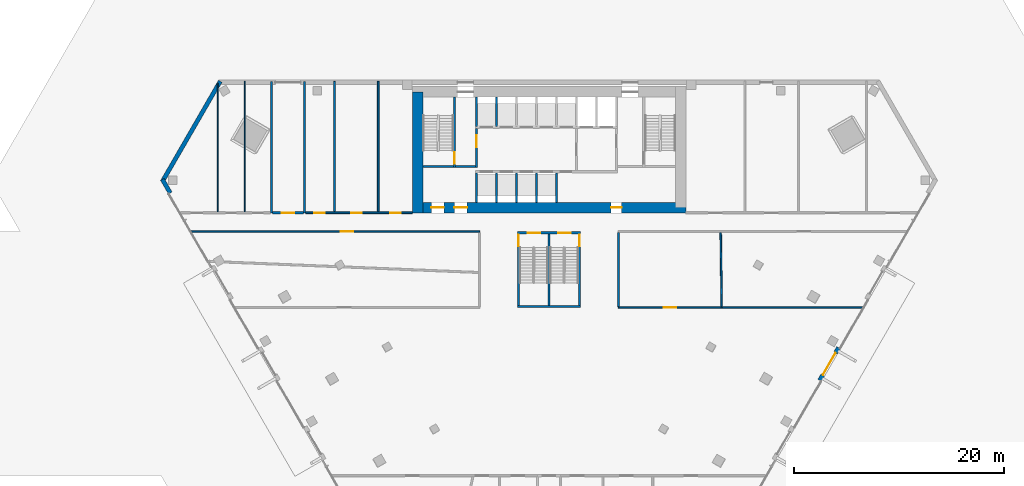
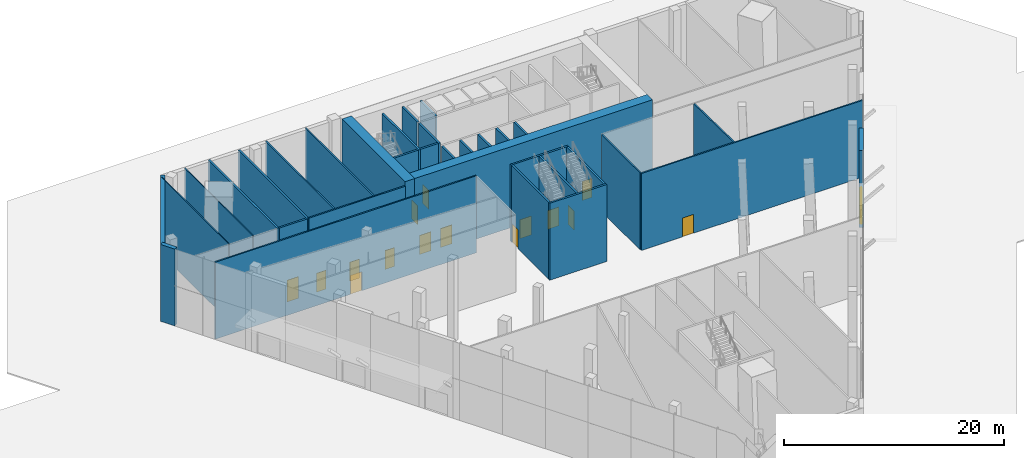
# One storey, part 13 of 21: 33 walls, 16 doors, 16 openings.
"""IFC4 building model written with IfcOpenShell, lengths in metres."""

import ifcopenshell
import ifcopenshell.guid

model = None  # the IFC model being written
_history = None  # IfcOwnerHistory: only IFC2X3 demands one
_inside = {}  # id of a spatial element -> (the spatial element, [elements in it])
_under = {}  # id of a project, library or spatial element -> (it, [spatial elements below it])
_declared = {}  # id of a project -> (the project, [libraries it declares])
_typed = {}  # id of a type object -> (the type object, [elements of that type])
_made_of = {}  # id of a material, layer set ... -> (it, [elements and type objects made of it])


def new_model(schema):
    """Start an empty IFC model of exactly this schema.

    Asked for "IFC4X3", IfcOpenShell would pick the latest addendum, in which some entities
    have other attributes; the version numbers below select the first issue.
    IFC2X3 requires an IfcOwnerHistory on every rooted entity: one is made here for all.
    """
    global model, _history
    if schema == "IFC4X3":
        model = ifcopenshell.file(schema_version=(4, 3, 0, 0))
    else:
        model = ifcopenshell.file(schema=schema)
    _inside.clear()
    _under.clear()
    _declared.clear()
    _typed.clear()
    _made_of.clear()
    _history = None
    if model.schema == "IFC2X3":
        org = make("IfcOrganization", Name="unknown")
        user = make(
            "IfcPersonAndOrganization",
            ThePerson=make("IfcPerson", FamilyName="unknown"),
            TheOrganization=org,
        )
        app = make(
            "IfcApplication",
            ApplicationDeveloper=org,
            Version="unknown",
            ApplicationFullName="unknown",
            ApplicationIdentifier="unknown",
        )
        _history = make(
            "IfcOwnerHistory",
            OwningUser=user,
            OwningApplication=app,
            ChangeAction="ADDED",
            CreationDate=0,
        )
    return model


def make(cls, **values):
    """One entity of the class cls with the attributes given. An attribute that is None is left unset."""
    return model.create_entity(
        cls, **{name: value for name, value in values.items() if value is not None}
    )


def rooted(cls, **values):
    """An entity with a GlobalId (a new one), such as an element, a storey or a relation."""
    return make(cls, GlobalId=ifcopenshell.guid.new(), OwnerHistory=_history, **values)


def si_unit(unit_type, name, prefix=None):
    """IfcSIUnit, for example si_unit("LENGTHUNIT", "METRE", prefix="MILLI")."""
    return make("IfcSIUnit", UnitType=unit_type, Prefix=prefix, Name=name)


def assignment(units):
    """IfcUnitAssignment: the units of a project."""
    return None if units is None else make("IfcUnitAssignment", Units=units)


def point(xyz):
    """IfcCartesianPoint."""
    return None if xyz is None else make("IfcCartesianPoint", Coordinates=xyz)


def direction(xyz):
    """IfcDirection."""
    return None if xyz is None else make("IfcDirection", DirectionRatios=xyz)


def frame(location, z_axis=None, x_axis=None):
    """IfcAxis2Placement3D, a coordinate frame: its origin and axes. An axis left out is left unset."""
    return make(
        "IfcAxis2Placement3D",
        Location=point(location),
        Axis=direction(z_axis),
        RefDirection=direction(x_axis),
    )


def frame_2d(location, x_axis=None):
    """IfcAxis2Placement2D, a coordinate frame in the plane: its origin and x axis."""
    return make(
        "IfcAxis2Placement2D", Location=point(location), RefDirection=direction(x_axis)
    )


def origin():
    """The frame at (0, 0, 0) with its axes left unset."""
    return frame((0.0, 0.0, 0.0))


def place(relative_to, where):
    """IfcLocalPlacement: puts the frame where relative to a parent placement (None: the world)."""
    return make(
        "IfcLocalPlacement", PlacementRelTo=relative_to, RelativePlacement=where
    )


def context(
    kind, dimensions, precision=None, world=None, true_north=None, identifier=None
):
    """IfcGeometricRepresentationContext, for example the 3D "Model" context."""
    return make(
        "IfcGeometricRepresentationContext",
        ContextIdentifier=identifier,
        ContextType=kind,
        CoordinateSpaceDimension=dimensions,
        Precision=precision,
        WorldCoordinateSystem=world,
        TrueNorth=true_north,
    )


def subcontext(parent, identifier, kind, view, scale=None):
    """IfcGeometricRepresentationSubContext, for example "Body" below "Model"."""
    return make(
        "IfcGeometricRepresentationSubContext",
        ContextIdentifier=identifier,
        ContextType=kind,
        ParentContext=parent,
        TargetScale=scale,
        TargetView=view,
    )


def project(units=None, contexts=None):
    """IfcProject with its units and contexts."""
    return rooted(
        "IfcProject",
        Name="project",
        RepresentationContexts=contexts,
        UnitsInContext=assignment(units),
    )


def spatial(cls, under=None, at=None, **own):
    """A site, building, storey or space (cls), placed at a placement, below another one or the project."""
    s = rooted(cls, ObjectPlacement=at, **own)
    if under is not None:
        _under.setdefault(under.id(), (under, []))[1].append(s)
    return s


def profile(cls, at=None, kind="AREA", **sizes):
    """A parametric profile (cls). Its sizes go by their IFC names, for example OverallWidth=200.0."""
    return make(cls, ProfileType=kind, Position=at, **sizes)


def rectangle(**sizes):
    """IfcRectangleProfileDef."""
    return profile("IfcRectangleProfileDef", **sizes)


def extrude(swept, where, along, depth):
    """IfcExtrudedAreaSolid: the profile swept, set in the frame where, extruded along a direction by depth."""
    return make(
        "IfcExtrudedAreaSolid",
        SweptArea=swept,
        Position=where,
        ExtrudedDirection=direction(along),
        Depth=depth,
    )


def shape(context_of_items, identifier, shape_type, items):
    """IfcShapeRepresentation: the items that make up one representation, for example the "Body"."""
    return make(
        "IfcShapeRepresentation",
        ContextOfItems=context_of_items,
        RepresentationIdentifier=identifier,
        RepresentationType=shape_type,
        Items=items,
    )


def material(Name=None, Category=None):
    """IfcMaterial."""
    return make("IfcMaterial", Name=Name, Category=Category)


def layer(
    of_material, thickness, ventilated=None, Name=None, Category=None, Priority=None
):
    """IfcMaterialLayer: one layer of a wall or slab, of a material (None: an air gap)."""
    return make(
        "IfcMaterialLayer",
        Material=of_material,
        LayerThickness=thickness,
        IsVentilated=ventilated,
        Name=Name,
        Category=Category,
        Priority=Priority,
    )


def layer_set(layers, Name=None):
    """IfcMaterialLayerSet."""
    return make("IfcMaterialLayerSet", MaterialLayers=layers, LayerSetName=Name)


def made_of(thing, what):
    """Note that an element or type object is made of a material, layer set ...; save() writes the relation."""
    if what is not None:
        _made_of.setdefault(what.id(), (what, []))[1].append(thing)
    return thing


def type_object(cls, material=None, **own):
    """A type object (cls), such as IfcWallType, which elements share."""
    return made_of(rooted(cls, **own), material)


def element(
    cls,
    number,
    at=None,
    inside=None,
    cuts=None,
    type_object=None,
    material=None,
    context=None,
    identifier="Body",
    shape_type=None,
    held_by="IfcProductDefinitionShape",
    body=None,
    shapes=None,
    **own,
):
    """One element of the class cls, such as IfcWall. Its Tag is "e" and its number.

    at: its placement. inside: the storey or other place that contains it. cuts: it is an
    opening in that element (IfcRelVoidsElement). A single representation is given by context,
    identifier, shape_type and body (its items); several are given by shapes. held_by: the class
    of the entity that holds the representations. save() writes the other relations.
    """
    e = rooted(cls, Tag="e%d" % number, ObjectPlacement=at, **own)
    if body is not None:
        shapes = [shape(context, identifier, shape_type, body)]
    if shapes is not None:
        e.Representation = make(held_by, Representations=shapes)
    if inside is not None:
        _inside.setdefault(inside.id(), (inside, []))[1].append(e)
    if cuts is not None:
        rooted(
            "IfcRelVoidsElement", RelatingBuildingElement=cuts, RelatedOpeningElement=e
        )
    if type_object is not None:
        _typed.setdefault(type_object.id(), (type_object, []))[1].append(e)
    return made_of(e, material)


def fill(opening, filler):
    """IfcRelFillsElement: the door or window that sits in an opening."""
    return rooted(
        "IfcRelFillsElement",
        RelatingOpeningElement=opening,
        RelatedBuildingElement=filler,
    )


def aggregate(whole, parts):
    """IfcRelAggregates: a whole, such as a stair, and the parts it consists of."""
    return rooted("IfcRelAggregates", RelatingObject=whole, RelatedObjects=parts)


def save(model, path):
    """Write the relations noted so far, then the file.

    IfcRelAggregates (storeys below a building ...), IfcRelContainedInSpatialStructure (elements
    in a storey), IfcRelDefinesByType, IfcRelAssociatesMaterial and IfcRelDeclares: one each for
    every whole, place, type object, material and project.
    """
    for whole, parts in _under.values():
        aggregate(whole, parts)
    for where, things in _inside.values():
        rooted(
            "IfcRelContainedInSpatialStructure",
            RelatedElements=things,
            RelatingStructure=where,
        )
    for kind, things in _typed.values():
        rooted("IfcRelDefinesByType", RelatedObjects=things, RelatingType=kind)
    for what, things in _made_of.values():
        rooted("IfcRelAssociatesMaterial", RelatedObjects=things, RelatingMaterial=what)
    for by, libraries in _declared.values():
        rooted("IfcRelDeclares", RelatingContext=by, RelatedDefinitions=libraries)
    model.write(path)


model = new_model("IFC4")

# Units and contexts
model_context = context("Model", 3, precision=1e-05, world=origin(), true_north=direction((0.0, 1.0)))
body_context = subcontext(model_context, "Body", "Model", "MODEL_VIEW")
ifc_project = project(units=[si_unit("LENGTHUNIT", "METRE"), si_unit("AREAUNIT", "SQUARE_METRE"), si_unit("VOLUMEUNIT", "CUBIC_METRE"), si_unit("PLANEANGLEUNIT", "RADIAN"), si_unit("MASSUNIT", "GRAM", prefix="KILO")], contexts=[model_context])

# Site, building, storey
site_placement = place(None, origin())
site = spatial("IfcSite", under=ifc_project, at=site_placement, CompositionType="ELEMENT")
building_placement = place(site_placement, origin())
building = spatial("IfcBuilding", under=site, at=building_placement, Name="Altiplano Prism Tower", CompositionType="ELEMENT")
storey_placement = place(building_placement, origin())
storey = spatial("IfcBuildingStorey", under=building, at=storey_placement, Name="L00", CompositionType="ELEMENT", Elevation=0.0)

# Wall, openings, doors
ifc_material_1 = material(Name="Concrete C70/85", Category="concrete")
ifc_layer_1 = layer(ifc_material_1, 1.0)
ifc_layer_set_1 = layer_set([ifc_layer_1], Name="Concrete C70/85")
wall_type_1 = type_object("IfcWallType", Name="Core wall 1000", PredefinedType="SHEAR", material=ifc_layer_set_1)
wall_1_placement = place(storey_placement, frame((72.5, 92.89990234375, 0.0), z_axis=(0.0, 0.0, 1.0), x_axis=(1.0, 0.0, 0.0)))
wall_1 = element("IfcWall", 1, at=wall_1_placement, inside=storey, type_object=wall_type_1, Name="Core wall S L00", PredefinedType="SHEAR", context=body_context, shape_type="SweptSolid", body=[
    extrude(rectangle(XDim=25.5, YDim=1.0, at=frame_2d((12.75, 0.0))), origin(), (0.0, 0.0, 1.0), 9.0),
])
opening_1_placement = place(wall_1_placement, frame((1.300048828125, 0.0, 0.0)))
opening_1 = element("IfcOpeningElement", 2, at=opening_1_placement, cuts=wall_1, Name="Opening D2594", PredefinedType="OPENING", context=body_context, shape_type="SweptSolid", body=[
    extrude(rectangle(XDim=1.199951171875, YDim=2.10009765625, at=frame_2d((0.60009765625, 1.050048828125))), frame((0.0, 0.510498046875, 0.0), z_axis=(0.0, -1.0, 0.0), x_axis=(1.0, 0.0, 0.0)), (0.0, 0.0, 1.0), 1.02099609375),
])
opening_2_placement = place(wall_1_placement, frame((3.5, 0.0, 0.0)))
opening_2 = element("IfcOpeningElement", 3, at=opening_2_placement, cuts=wall_1, Name="Opening D2595", PredefinedType="OPENING", context=body_context, shape_type="SweptSolid", body=[
    extrude(rectangle(XDim=1.199951171875, YDim=2.10009765625, at=frame_2d((0.60009765625, 1.050048828125))), frame((0.0, 0.510498046875, 0.0), z_axis=(0.0, -1.0, 0.0), x_axis=(1.0, 0.0, 0.0)), (0.0, 0.0, 1.0), 1.02099609375),
])
opening_3_placement = place(wall_1_placement, frame((18.39990234375, 0.0, 0.0)))
opening_3 = element("IfcOpeningElement", 4, at=opening_3_placement, cuts=wall_1, Name="Opening D2597", PredefinedType="OPENING", context=body_context, shape_type="SweptSolid", body=[
    extrude(rectangle(XDim=1.0, YDim=2.10009765625, at=frame_2d((0.5, 1.050048828125))), frame((0.0, 0.510498046875, 0.0), z_axis=(0.0, -1.0, 0.0), x_axis=(1.0, 0.0, 0.0)), (0.0, 0.0, 1.0), 1.02099609375),
])
ifc_material_2 = material(Name="Fire-rated steel door", Category="steel")
door_type_1 = type_object("IfcDoorType", Name="Core room door 1000 x 2100", OperationType="NOTDEFINED", PredefinedType="NOTDEFINED", material=ifc_material_2)
door_1_placement = place(opening_3_placement, origin())
door_1 = element("IfcDoor", 5, at=door_1_placement, inside=storey, type_object=door_type_1, Name="Core room door D2597", OperationType="SINGLE_SWING_RIGHT", OverallHeight=2.10009765625, OverallWidth=1.0, PredefinedType="NOTDEFINED", context=body_context, shape_type="SweptSolid", body=[
    extrude(rectangle(XDim=1.0, YDim=2.10009765625, at=frame_2d((0.5, 1.050048828125))), frame((0.0, 0.02490234375, 0.0), z_axis=(0.0, -1.0, 0.0), x_axis=(1.0, 0.0, 0.0)), (0.0, 0.0, 1.0), 0.050048828125),
])
fill(opening_3, door_1)
door_type_2 = type_object("IfcDoorType", Name="Lobby fire door 1200 x 2100", OperationType="NOTDEFINED", PredefinedType="NOTDEFINED", material=ifc_material_2)
door_2_placement = place(opening_1_placement, origin())
door_2 = element("IfcDoor", 6, at=door_2_placement, inside=storey, type_object=door_type_2, Name="Lobby fire door D2594", OperationType="SINGLE_SWING_RIGHT", OverallHeight=2.10009765625, OverallWidth=1.199951171875, PredefinedType="NOTDEFINED", context=body_context, shape_type="SweptSolid", body=[
    extrude(rectangle(XDim=1.199951171875, YDim=2.10009765625, at=frame_2d((0.60009765625, 1.050048828125))), frame((0.0, 0.02490234375, 0.0), z_axis=(0.0, -1.0, 0.0), x_axis=(1.0, 0.0, 0.0)), (0.0, 0.0, 1.0), 0.050048828125),
])
fill(opening_1, door_2)
door_3_placement = place(opening_2_placement, origin())
door_3 = element("IfcDoor", 7, at=door_3_placement, inside=storey, type_object=door_type_2, Name="Lobby fire door D2595", OperationType="SINGLE_SWING_LEFT", OverallHeight=2.10009765625, OverallWidth=1.199951171875, PredefinedType="NOTDEFINED", context=body_context, shape_type="SweptSolid", body=[
    extrude(rectangle(XDim=1.199951171875, YDim=2.10009765625, at=frame_2d((0.60009765625, 1.050048828125))), frame((0.0, 0.02490234375, 0.0), z_axis=(0.0, -1.0, 0.0), x_axis=(1.0, 0.0, 0.0)), (0.0, 0.0, 1.0), 0.050048828125),
])
fill(opening_2, door_3)

# Walls
wall_2_placement = place(storey_placement, frame((72.5, 103.89990234375, 0.0), z_axis=(0.0, 0.0, 1.0), x_axis=(0.0, -1.0, 0.0)))
element("IfcWall", 8, at=wall_2_placement, inside=storey, type_object=wall_type_1, Name="Core wall W L00", PredefinedType="SHEAR", context=body_context, shape_type="SweptSolid", body=[
    extrude(rectangle(XDim=11.5, YDim=1.0, at=frame_2d((5.75, 0.0))), origin(), (0.0, 0.0, 1.0), 9.0),
])
ifc_material_3 = material(Name="Plasterboard on steel stud", Category="steel")
ifc_layer_2 = layer(ifc_material_3, 0.10009765625)
ifc_layer_set_2 = layer_set([ifc_layer_2], Name="Plasterboard on steel stud")
wall_type_2 = type_object("IfcWallType", Name="Partition 100 wet", PredefinedType="PARTITIONING", material=ifc_layer_set_2)
wall_3_placement = place(storey_placement, frame((56.061767578125, 92.47509765625, 0.0), z_axis=(0.0, 0.0, 1.0), x_axis=(0.0, 1.0, 0.0)))
element("IfcWall", 9, at=wall_3_placement, inside=storey, type_object=wall_type_2, Name="Partition P03 L00 015", PredefinedType="PARTITIONING", context=body_context, shape_type="SweptSolid", body=[
    extrude(rectangle(XDim=12.4248046875, YDim=0.10009765625, at=frame_2d((6.21240234375, 0.0))), origin(), (0.0, 0.0, 1.0), 8.550048828125),
])
wall_4_placement = place(storey_placement, frame((53.507568359375, 104.70068359375, 0.0), z_axis=(0.0, 0.0, 1.0), x_axis=(0.0, -1.0, 0.0)))
element("IfcWall", 10, at=wall_4_placement, inside=storey, type_object=wall_type_2, Name="Partition P03 L00 016", PredefinedType="PARTITIONING", context=body_context, shape_type="SweptSolid", body=[
    extrude(rectangle(XDim=12.2255859375, YDim=0.10009765625, at=frame_2d((6.11279296875, 0.0))), origin(), (0.0, 0.0, 1.0), 8.550048828125),
])

# Wall, opening, door
ifc_layer_3 = layer(ifc_material_3, 0.14990234375)
ifc_layer_set_3 = layer_set([ifc_layer_3], Name="Plasterboard on steel stud")
wall_type_3 = type_object("IfcWallType", Name="Partition 150 corridor", PredefinedType="PARTITIONING", material=ifc_layer_set_3)
wall_5_placement = place(storey_placement, frame((114.887451171875, 83.39990234375, 0.0), z_axis=(0.0, 0.0, 1.0), x_axis=(-1.0, 0.0, 0.0)))
wall_5 = element("IfcWall", 11, at=wall_5_placement, inside=storey, type_object=wall_type_3, Name="Partition P06 L00 002", PredefinedType="PARTITIONING", context=body_context, shape_type="SweptSolid", body=[
    extrude(rectangle(XDim=23.287353515625, YDim=0.14990234375, at=frame_2d((11.6435546875, 0.0))), origin(), (0.0, 0.0, 1.0), 8.550048828125),
])
opening_4_placement = place(wall_5_placement, frame((17.804443359375, 0.0, 0.0)))
opening_4 = element("IfcOpeningElement", 12, at=opening_4_placement, cuts=wall_5, Name="Opening D0019", PredefinedType="OPENING", context=body_context, shape_type="SweptSolid", body=[
    extrude(rectangle(XDim=1.199951171875, YDim=2.10009765625, at=frame_2d((0.60009765625, 1.050048828125))), frame((0.0, 0.08544921875, 0.0), z_axis=(0.0, -1.0, 0.0), x_axis=(1.0, 0.0, 0.0)), (0.0, 0.0, 1.0), 0.1708984375),
])
ifc_material_4 = material(Name="Timber", Category="wood")
door_type_3 = type_object("IfcDoorType", Name="Shared room door 1200 x 2100", OperationType="NOTDEFINED", PredefinedType="NOTDEFINED", material=ifc_material_4)
door_4_placement = place(opening_4_placement, origin())
door_4 = element("IfcDoor", 13, at=door_4_placement, inside=storey, type_object=door_type_3, Name="Door D0019", OperationType="SINGLE_SWING_LEFT", OverallHeight=2.10009765625, OverallWidth=1.199951171875, PredefinedType="NOTDEFINED", context=body_context, shape_type="SweptSolid", body=[
    extrude(rectangle(XDim=1.199951171875, YDim=2.10009765625, at=frame_2d((0.60009765625, 1.050048828125))), frame((0.0, 0.02490234375, 0.0), z_axis=(0.0, -1.0, 0.0), x_axis=(1.0, 0.0, 0.0)), (0.0, 0.0, 1.0), 0.050048828125),
])
fill(opening_4, door_4)

# Wall
wall_6_placement = place(storey_placement, frame((91.60009765625, 83.47509765625, 0.0), z_axis=(0.0, 0.0, 1.0), x_axis=(0.0, 1.0, 0.0)))
element("IfcWall", 14, at=wall_6_placement, inside=storey, type_object=wall_type_3, Name="Partition P06 L00 006", PredefinedType="PARTITIONING", context=body_context, shape_type="SweptSolid", body=[
    extrude(rectangle(XDim=7.0498046875, YDim=0.14990234375, at=frame_2d((3.52490234375, 0.0))), origin(), (0.0, 0.0, 1.0), 8.550048828125),
])

# Wall, openings, doors
wall_7_placement = place(storey_placement, frame((72.0, 92.39990234375, 0.0), z_axis=(0.0, 0.0, 1.0), x_axis=(-1.0, 0.0, 0.0)))
wall_7 = element("IfcWall", 15, at=wall_7_placement, inside=storey, type_object=wall_type_3, Name="Partition P06 L00 009", PredefinedType="PARTITIONING", context=body_context, shape_type="SweptSolid", body=[
    extrude(rectangle(XDim=10.140625, YDim=0.14990234375, at=frame_2d((5.0703125, 0.0))), origin(), (0.0, 0.0, 1.0), 8.550048828125),
])
opening_5_placement = place(wall_7_placement, frame((8.321044921875, 0.0, 0.0)))
opening_5 = element("IfcOpeningElement", 16, at=opening_5_placement, cuts=wall_7, Name="Opening D0003", PredefinedType="OPENING", context=body_context, shape_type="SweptSolid", body=[
    extrude(rectangle(XDim=1.0, YDim=2.10009765625, at=frame_2d((0.5, 1.050048828125))), frame((0.0, 0.08544921875, 0.0), z_axis=(0.0, -1.0, 0.0), x_axis=(1.0, 0.0, 0.0)), (0.0, 0.0, 1.0), 0.1708984375),
])
opening_6_placement = place(wall_7_placement, frame((1.118896484375, 0.0, 0.0)))
opening_6 = element("IfcOpeningElement", 17, at=opening_6_placement, cuts=wall_7, Name="Opening D0006", PredefinedType="OPENING", context=body_context, shape_type="SweptSolid", body=[
    extrude(rectangle(XDim=1.0, YDim=2.10009765625, at=frame_2d((0.5, 1.050048828125))), frame((0.0, 0.08544921875, 0.0), z_axis=(0.0, -1.0, 0.0), x_axis=(1.0, 0.0, 0.0)), (0.0, 0.0, 1.0), 0.1708984375),
])
opening_7_placement = place(wall_7_placement, frame((4.820068359375, 0.0, 0.0)))
opening_7 = element("IfcOpeningElement", 18, at=opening_7_placement, cuts=wall_7, Name="Opening D0007", PredefinedType="OPENING", context=body_context, shape_type="SweptSolid", body=[
    extrude(rectangle(XDim=1.0, YDim=2.10009765625, at=frame_2d((0.5, 1.050048828125))), frame((0.0, 0.08544921875, 0.0), z_axis=(0.0, -1.0, 0.0), x_axis=(1.0, 0.0, 0.0)), (0.0, 0.0, 1.0), 0.1708984375),
])
door_type_4 = type_object("IfcDoorType", Name="Store door 1000 x 2100", OperationType="NOTDEFINED", PredefinedType="NOTDEFINED", material=ifc_material_4)
door_5_placement = place(opening_5_placement, origin())
door_5 = element("IfcDoor", 19, at=door_5_placement, inside=storey, type_object=door_type_4, Name="Door D0003", OperationType="SINGLE_SWING_RIGHT", OverallHeight=2.10009765625, OverallWidth=1.0, PredefinedType="NOTDEFINED", context=body_context, shape_type="SweptSolid", body=[
    extrude(rectangle(XDim=1.0, YDim=2.10009765625, at=frame_2d((0.5, 1.050048828125))), frame((0.0, 0.02490234375, 0.0), z_axis=(0.0, -1.0, 0.0), x_axis=(1.0, 0.0, 0.0)), (0.0, 0.0, 1.0), 0.050048828125),
])
fill(opening_5, door_5)
door_6_placement = place(opening_6_placement, origin())
door_6 = element("IfcDoor", 20, at=door_6_placement, inside=storey, type_object=door_type_4, Name="Door D0006", OperationType="SINGLE_SWING_LEFT", OverallHeight=2.10009765625, OverallWidth=1.0, PredefinedType="NOTDEFINED", context=body_context, shape_type="SweptSolid", body=[
    extrude(rectangle(XDim=1.0, YDim=2.10009765625, at=frame_2d((0.5, 1.050048828125))), frame((0.0, 0.02490234375, 0.0), z_axis=(0.0, -1.0, 0.0), x_axis=(1.0, 0.0, 0.0)), (0.0, 0.0, 1.0), 0.050048828125),
])
fill(opening_6, door_6)
door_7_placement = place(opening_7_placement, origin())
door_7 = element("IfcDoor", 21, at=door_7_placement, inside=storey, type_object=door_type_4, Name="Door D0007", OperationType="SINGLE_SWING_LEFT", OverallHeight=2.10009765625, OverallWidth=1.0, PredefinedType="NOTDEFINED", context=body_context, shape_type="SweptSolid", body=[
    extrude(rectangle(XDim=1.0, YDim=2.10009765625, at=frame_2d((0.5, 1.050048828125))), frame((0.0, 0.02490234375, 0.0), z_axis=(0.0, -1.0, 0.0), x_axis=(1.0, 0.0, 0.0)), (0.0, 0.0, 1.0), 0.050048828125),
])
fill(opening_7, door_7)

# Wall, opening, door
wall_8_placement = place(storey_placement, frame((50.95556640625, 90.60009765625, 0.0), z_axis=(0.0, 0.0, 1.0), x_axis=(1.0, 0.0, 0.0)))
wall_8 = element("IfcWall", 22, at=wall_8_placement, inside=storey, type_object=wall_type_3, Name="Partition P06 L00 011", PredefinedType="PARTITIONING", context=body_context, shape_type="SweptSolid", body=[
    extrude(rectangle(XDim=27.4443359375, YDim=0.14990234375, at=frame_2d((13.72216796875, 0.0))), origin(), (0.0, 0.0, 1.0), 8.550048828125),
])
opening_8_placement = place(wall_8_placement, frame((14.219482421875, 0.0, 0.0)))
opening_8 = element("IfcOpeningElement", 23, at=opening_8_placement, cuts=wall_8, Name="Opening D0015", PredefinedType="OPENING", context=body_context, shape_type="SweptSolid", body=[
    extrude(rectangle(XDim=1.199951171875, YDim=2.10009765625, at=frame_2d((0.60009765625, 1.050048828125))), frame((0.0, 0.08544921875, 0.0), z_axis=(0.0, -1.0, 0.0), x_axis=(1.0, 0.0, 0.0)), (0.0, 0.0, 1.0), 0.1708984375),
])
door_8_placement = place(opening_8_placement, origin())
door_8 = element("IfcDoor", 24, at=door_8_placement, inside=storey, type_object=door_type_3, Name="Door D0015", OperationType="SINGLE_SWING_RIGHT", OverallHeight=2.10009765625, OverallWidth=1.199951171875, PredefinedType="NOTDEFINED", context=body_context, shape_type="SweptSolid", body=[
    extrude(rectangle(XDim=1.199951171875, YDim=2.10009765625, at=frame_2d((0.60009765625, 1.050048828125))), frame((0.0, 0.02490234375, 0.0), z_axis=(0.0, -1.0, 0.0), x_axis=(1.0, 0.0, 0.0)), (0.0, 0.0, 1.0), 0.050048828125),
])
fill(opening_8, door_8)

# Walls
ifc_layer_4 = layer(ifc_material_3, 0.14990234375)
ifc_layer_set_4 = layer_set([ifc_layer_4], Name="Plasterboard on steel stud")
wall_type_4 = type_object("IfcWallType", Name="Partition 150 party", PredefinedType="PARTITIONING", material=ifc_layer_set_4)
for number, where, z_axis, x_axis, name in (
    (25, (64.59765625, 92.47509765625, 0.0), (0.0, 0.0, 1.0), (0.0, 1.0, 0.0), "Partition P01 L00 019"),
    (26, (68.761962890625, 104.89990234375, 0.0), (0.0, 0.0, 1.0), (0.0, -1.0, 0.0), "Partition P01 L00 020"),
):
    element("IfcWall", number, at=place(storey_placement, frame(where, z_axis=z_axis, x_axis=x_axis)), inside=storey, type_object=wall_type_4, Name=name, PredefinedType="PARTITIONING", context=body_context, shape_type="SweptSolid", body=[
        extrude(rectangle(XDim=12.4248046875, YDim=0.14990234375, at=frame_2d((6.21240234375, 0.0))), origin(), (0.0, 0.0, 1.0), 8.550048828125),
    ])
wall_9_placement = place(storey_placement, frame((101.31591796875, 90.52392578125, 0.0), z_axis=(0.0, 0.0, 1.0), x_axis=(0.014027994636, -0.999901602842, 0.0)))
element("IfcWall", 27, at=wall_9_placement, inside=storey, type_object=wall_type_4, Name="Partition P01 L00 024", PredefinedType="PARTITIONING", context=body_context, shape_type="SweptSolid", body=[
    extrude(rectangle(XDim=7.048583984375, YDim=0.14990234375, at=frame_2d((3.5244140625, 0.0))), origin(), (0.0, 0.0, 1.0), 8.550048828125),
])

# Wall, opening, door
ifc_layer_5 = layer(ifc_material_3, 0.199951171875)
ifc_layer_set_5 = layer_set([ifc_layer_5], Name="Plasterboard on steel stud")
wall_type_5 = type_object("IfcWallType", Name="Partition 200 plant", PredefinedType="PARTITIONING", material=ifc_layer_set_5)
wall_10_placement = place(storey_placement, frame((61.659423828125, 92.39990234375, 0.0), z_axis=(0.0, 0.0, 1.0), x_axis=(-1.0, 0.0, 0.0)))
wall_10 = element("IfcWall", 28, at=wall_10_placement, inside=storey, type_object=wall_type_5, Name="Partition P04 L00 007", PredefinedType="PARTITIONING", context=body_context, shape_type="SweptSolid", body=[
    extrude(rectangle(XDim=2.943603515625, YDim=0.199951171875, at=frame_2d((1.4716796875, 0.0))), origin(), (0.0, 0.0, 1.0), 8.550048828125),
])
opening_9_placement = place(wall_10_placement, frame((0.8720703125, 0.0, 0.0)))
opening_9 = element("IfcOpeningElement", 29, at=opening_9_placement, cuts=wall_10, Name="Opening D0004", PredefinedType="OPENING", context=body_context, shape_type="SweptSolid", body=[
    extrude(rectangle(XDim=1.199951171875, YDim=2.39990234375, at=frame_2d((0.60009765625, 1.199951171875))), frame((0.0, 0.1103515625, 0.0), z_axis=(0.0, -1.0, 0.0), x_axis=(1.0, 0.0, 0.0)), (0.0, 0.0, 1.0), 0.220947265625),
])
ifc_material_5 = material(Name="Painted steel door leaf", Category="steel")
door_type_5 = type_object("IfcDoorType", Name="Plant room door 1200 x 2400", OperationType="NOTDEFINED", PredefinedType="NOTDEFINED", material=ifc_material_5)
door_9_placement = place(opening_9_placement, origin())
door_9 = element("IfcDoor", 30, at=door_9_placement, inside=storey, type_object=door_type_5, Name="Door D0004", OperationType="SINGLE_SWING_LEFT", OverallHeight=2.39990234375, OverallWidth=1.199951171875, PredefinedType="NOTDEFINED", context=body_context, shape_type="SweptSolid", body=[
    extrude(rectangle(XDim=1.199951171875, YDim=2.39990234375, at=frame_2d((0.60009765625, 1.199951171875))), frame((0.0, 0.02490234375, 0.0), z_axis=(0.0, -1.0, 0.0), x_axis=(1.0, 0.0, 0.0)), (0.0, 0.0, 1.0), 0.050048828125),
])
fill(opening_9, door_9)

# Walls
for number, where, z_axis, x_axis, name in (
    (31, (58.61572265625, 92.39990234375, 0.0), (0.0, 0.0, 1.0), (0.0, 1.0, 0.0), "Partition P04 L00 017"),
    (32, (61.75927734375, 104.89990234375, 0.0), (0.0, 0.0, 1.0), (0.0, -1.0, 0.0), "Partition P04 L00 018"),
):
    element("IfcWall", number, at=place(storey_placement, frame(where, z_axis=z_axis, x_axis=x_axis)), inside=storey, type_object=wall_type_5, Name=name, PredefinedType="PARTITIONING", context=body_context, shape_type="SweptSolid", body=[
        extrude(rectangle(XDim=12.5, YDim=0.199951171875, at=frame_2d((6.25, 0.0))), origin(), (0.0, 0.0, 1.0), 8.550048828125),
    ])
ifc_material_6 = material(Name="Concrete C60/75", Category="concrete")
ifc_layer_6 = layer(ifc_material_6, 0.199951171875)
ifc_layer_set_6 = layer_set([ifc_layer_6], Name="Concrete C60/75")
wall_type_6 = type_object("IfcWallType", Name="Shaft wall 200", PredefinedType="SOLIDWALL", material=ifc_layer_set_6)
for number, where, z_axis, x_axis, name in (
    (33, (78.10009765625, 93.39990234375, 0.0), (0.0, 0.0, 1.0), (0.0, 1.0, 0.0), "Shaft wall L00"),
    (34, (80.0, 93.39990234375, 0.0), (0.0, 0.0, 1.0), (0.0, 1.0, 0.0), "Shaft wall L00"),
    (35, (81.89990234375, 93.39990234375, 0.0), (0.0, 0.0, 1.0), (0.0, 1.0, 0.0), "Shaft wall L00"),
    (36, (83.800048828125, 93.39990234375, 0.0), (0.0, 0.0, 1.0), (0.0, 1.0, 0.0), "Shaft wall L00"),
    (37, (85.699951171875, 93.39990234375, 0.0), (0.0, 0.0, 1.0), (0.0, 1.0, 0.0), "Shaft wall L00"),
):
    element("IfcWall", number, at=place(storey_placement, frame(where, z_axis=z_axis, x_axis=x_axis)), inside=storey, type_object=wall_type_6, Name=name, PredefinedType="SOLIDWALL", context=body_context, shape_type="SweptSolid", body=[
        extrude(rectangle(XDim=2.800048828125, YDim=0.199951171875, at=frame_2d((1.39990234375, 0.0))), origin(), (0.0, 0.0, 1.0), 8.550048828125),
    ])
for number, where, z_axis, x_axis, name in (
    (38, (78.10009765625, 100.60009765625, 0.0), (0.0, 0.0, 1.0), (0.0, 1.0, 0.0), "Shaft wall L00"),
    (39, (80.0, 100.60009765625, 0.0), (0.0, 0.0, 1.0), (0.0, 1.0, 0.0), "Shaft wall L00"),
):
    element("IfcWall", number, at=place(storey_placement, frame(where, z_axis=z_axis, x_axis=x_axis)), inside=storey, type_object=wall_type_6, Name=name, PredefinedType="SOLIDWALL", context=body_context, shape_type="SweptSolid", body=[
        extrude(rectangle(XDim=2.7998046875, YDim=0.199951171875, at=frame_2d((1.39990234375, 0.0))), origin(), (0.0, 0.0, 1.0), 8.550048828125),
    ])
ifc_layer_7 = layer(ifc_material_6, 0.199951171875)
ifc_layer_set_7 = layer_set([ifc_layer_7], Name="Concrete C60/75")
wall_type_7 = type_object("IfcWallType", Name="Stair wall 200", PredefinedType="SOLIDWALL", material=ifc_layer_set_7)
wall_11_placement = place(storey_placement, frame((73.0, 96.800048828125, 0.0), z_axis=(0.0, 0.0, 1.0), x_axis=(1.0, 0.0, 0.0)))
element("IfcWall", 40, at=wall_11_placement, inside=storey, type_object=wall_type_7, Name="Stair wall L00", PredefinedType="SOLIDWALL", context=body_context, shape_type="SweptSolid", body=[
    extrude(rectangle(XDim=2.89990234375, YDim=0.199951171875, at=frame_2d((1.449951171875, 0.0))), origin(), (0.0, 0.0, 1.0), 8.550048828125),
])

# Wall, opening, door
wall_12_placement = place(storey_placement, frame((76.0, 96.699951171875, 0.0), z_axis=(0.0, 0.0, 1.0), x_axis=(0.0, 1.0, 0.0)))
wall_12 = element("IfcWall", 41, at=wall_12_placement, inside=storey, type_object=wall_type_7, Name="Stair wall L00", PredefinedType="SOLIDWALL", context=body_context, shape_type="SweptSolid", body=[
    extrude(rectangle(XDim=6.699951171875, YDim=0.199951171875, at=frame_2d((3.35009765625, 0.0))), origin(), (0.0, 0.0, 1.0), 8.550048828125),
])
opening_10_placement = place(wall_12_placement, frame((0.35009765625, 0.0, 0.0)))
opening_10 = element("IfcOpeningElement", 42, at=opening_10_placement, cuts=wall_12, Name="Opening D2589", PredefinedType="OPENING", context=body_context, shape_type="SweptSolid", body=[
    extrude(rectangle(XDim=1.10009765625, YDim=2.10009765625, at=frame_2d((0.550048828125, 1.050048828125))), frame((0.0, 0.1103515625, 0.0), z_axis=(0.0, -1.0, 0.0), x_axis=(1.0, 0.0, 0.0)), (0.0, 0.0, 1.0), 0.220947265625),
])
door_type_6 = type_object("IfcDoorType", Name="Stair fire door 1100 x 2100", OperationType="NOTDEFINED", PredefinedType="NOTDEFINED", material=ifc_material_2)
door_10_placement = place(opening_10_placement, origin())
door_10 = element("IfcDoor", 43, at=door_10_placement, inside=storey, type_object=door_type_6, Name="Stair fire door D2589", OperationType="SINGLE_SWING_RIGHT", OverallHeight=2.10009765625, OverallWidth=1.10009765625, PredefinedType="NOTDEFINED", context=body_context, shape_type="SweptSolid", body=[
    extrude(rectangle(XDim=1.10009765625, YDim=2.10009765625, at=frame_2d((0.550048828125, 1.050048828125))), frame((0.0, 0.02490234375, 0.0), z_axis=(0.0, -1.0, 0.0), x_axis=(1.0, 0.0, 0.0)), (0.0, 0.0, 1.0), 0.050048828125),
])
fill(opening_10, door_10)

# Wall, openings, doors
wall_13_placement = place(storey_placement, frame((82.0, 90.5, 0.0), z_axis=(0.0, 0.0, 1.0), x_axis=(1.0, 0.0, 0.0)))
wall_13 = element("IfcWall", 44, at=wall_13_placement, inside=storey, type_object=wall_type_7, Name="Stair 3 wall north L00", PredefinedType="SOLIDWALL", context=body_context, shape_type="SweptSolid", body=[
    extrude(rectangle(XDim=6.0, YDim=0.199951171875, at=frame_2d((3.0, 0.0))), origin(), (0.0, 0.0, 1.0), 8.550048828125),
])
opening_11_placement = place(wall_13_placement, frame((0.949951171875, 0.0, 0.0)))
opening_11 = element("IfcOpeningElement", 45, at=opening_11_placement, cuts=wall_13, Name="Opening D3912", PredefinedType="OPENING", context=body_context, shape_type="SweptSolid", body=[
    extrude(rectangle(XDim=1.199951171875, YDim=2.10009765625, at=frame_2d((0.60009765625, 1.050048828125))), frame((0.0, 0.1103515625, 0.0), z_axis=(0.0, -1.0, 0.0), x_axis=(1.0, 0.0, 0.0)), (0.0, 0.0, 1.0), 0.220947265625),
])
opening_12_placement = place(wall_13_placement, frame((3.85009765625, 0.0, 0.0)))
opening_12 = element("IfcOpeningElement", 46, at=opening_12_placement, cuts=wall_13, Name="Opening D3914", PredefinedType="OPENING", context=body_context, shape_type="SweptSolid", body=[
    extrude(rectangle(XDim=1.199951171875, YDim=2.10009765625, at=frame_2d((0.60009765625, 1.050048828125))), frame((0.0, 0.1103515625, 0.0), z_axis=(0.0, -1.0, 0.0), x_axis=(1.0, 0.0, 0.0)), (0.0, 0.0, 1.0), 0.220947265625),
])
door_type_7 = type_object("IfcDoorType", Name="Stair fire door 1200 x 2100", OperationType="NOTDEFINED", PredefinedType="NOTDEFINED", material=ifc_material_2)
door_11_placement = place(opening_11_placement, origin())
door_11 = element("IfcDoor", 47, at=door_11_placement, inside=storey, type_object=door_type_7, Name="Stair fire door D3912", OperationType="SINGLE_SWING_LEFT", OverallHeight=2.10009765625, OverallWidth=1.199951171875, PredefinedType="NOTDEFINED", context=body_context, shape_type="SweptSolid", body=[
    extrude(rectangle(XDim=1.199951171875, YDim=2.10009765625, at=frame_2d((0.60009765625, 1.050048828125))), frame((0.0, 0.02490234375, 0.0), z_axis=(0.0, -1.0, 0.0), x_axis=(1.0, 0.0, 0.0)), (0.0, 0.0, 1.0), 0.050048828125),
])
fill(opening_11, door_11)
door_12_placement = place(opening_12_placement, origin())
door_12 = element("IfcDoor", 48, at=door_12_placement, inside=storey, type_object=door_type_7, Name="Stair fire door D3914", OperationType="SINGLE_SWING_LEFT", OverallHeight=2.10009765625, OverallWidth=1.199951171875, PredefinedType="NOTDEFINED", context=body_context, shape_type="SweptSolid", body=[
    extrude(rectangle(XDim=1.199951171875, YDim=2.10009765625, at=frame_2d((0.60009765625, 1.050048828125))), frame((0.0, 0.02490234375, 0.0), z_axis=(0.0, -1.0, 0.0), x_axis=(1.0, 0.0, 0.0)), (0.0, 0.0, 1.0), 0.050048828125),
])
fill(opening_12, door_12)

# Wall
wall_14_placement = place(storey_placement, frame((82.0, 83.5, 0.0), z_axis=(0.0, 0.0, 1.0), x_axis=(1.0, 0.0, 0.0)))
element("IfcWall", 49, at=wall_14_placement, inside=storey, type_object=wall_type_7, Name="Stair 3 wall south L00", PredefinedType="SOLIDWALL", context=body_context, shape_type="SweptSolid", body=[
    extrude(rectangle(XDim=6.0, YDim=0.199951171875, at=frame_2d((3.0, 0.0))), origin(), (0.0, 0.0, 1.0), 8.550048828125),
])

# Wall, opening, door
wall_15_placement = place(storey_placement, frame((82.10009765625, 83.60009765625, 0.0), z_axis=(0.0, 0.0, 1.0), x_axis=(0.0, 1.0, 0.0)))
wall_15 = element("IfcWall", 50, at=wall_15_placement, inside=storey, type_object=wall_type_7, Name="Stair 3 wall west L00", PredefinedType="SOLIDWALL", context=body_context, shape_type="SweptSolid", body=[
    extrude(rectangle(XDim=6.7998046875, YDim=0.199951171875, at=frame_2d((3.39990234375, 0.0))), origin(), (0.0, 0.0, 1.0), 8.550048828125),
])
opening_13_placement = place(wall_15_placement, frame((5.60009765625, 0.0, 0.0)))
opening_13 = element("IfcOpeningElement", 51, at=opening_13_placement, cuts=wall_15, Name="Opening D3913", PredefinedType="OPENING", context=body_context, shape_type="SweptSolid", body=[
    extrude(rectangle(XDim=1.10009765625, YDim=2.10009765625, at=frame_2d((0.550048828125, 1.050048828125))), frame((0.0, 0.1103515625, 0.0), z_axis=(0.0, -1.0, 0.0), x_axis=(1.0, 0.0, 0.0)), (0.0, 0.0, 1.0), 0.220947265625),
])
door_type_8 = type_object("IfcDoorType", Name="Stair exit door 1100 x 2100", OperationType="NOTDEFINED", PredefinedType="NOTDEFINED", material=ifc_material_2)
door_13_placement = place(opening_13_placement, origin())
door_13 = element("IfcDoor", 52, at=door_13_placement, inside=storey, type_object=door_type_8, Name="Stair fire door D3913", OperationType="SINGLE_SWING_LEFT", OverallHeight=2.10009765625, OverallWidth=1.10009765625, PredefinedType="NOTDEFINED", context=body_context, shape_type="SweptSolid", body=[
    extrude(rectangle(XDim=1.10009765625, YDim=2.10009765625, at=frame_2d((0.550048828125, 1.050048828125))), frame((0.0, 0.02490234375, 0.0), z_axis=(0.0, -1.0, 0.0), x_axis=(1.0, 0.0, 0.0)), (0.0, 0.0, 1.0), 0.050048828125),
])
fill(opening_13, door_13)

wall_16_placement = place(storey_placement, frame((87.89990234375, 83.60009765625, 0.0), z_axis=(0.0, 0.0, 1.0), x_axis=(0.0, 1.0, 0.0)))
wall_16 = element("IfcWall", 53, at=wall_16_placement, inside=storey, type_object=wall_type_7, Name="Stair 3 wall east L00", PredefinedType="SOLIDWALL", context=body_context, shape_type="SweptSolid", body=[
    extrude(rectangle(XDim=6.7998046875, YDim=0.199951171875, at=frame_2d((3.39990234375, 0.0))), origin(), (0.0, 0.0, 1.0), 8.550048828125),
])
opening_14_placement = place(wall_16_placement, frame((5.60009765625, 0.0, 0.0)))
opening_14 = element("IfcOpeningElement", 54, at=opening_14_placement, cuts=wall_16, Name="Opening D3915", PredefinedType="OPENING", context=body_context, shape_type="SweptSolid", body=[
    extrude(rectangle(XDim=1.10009765625, YDim=2.10009765625, at=frame_2d((0.550048828125, 1.050048828125))), frame((0.0, 0.1103515625, 0.0), z_axis=(0.0, -1.0, 0.0), x_axis=(1.0, 0.0, 0.0)), (0.0, 0.0, 1.0), 0.220947265625),
])
door_14_placement = place(opening_14_placement, frame((1.10009765625, 0.0, 0.0), z_axis=(0.0, 0.0, 1.0), x_axis=(-1.0, 0.0, 0.0)))
door_14 = element("IfcDoor", 55, at=door_14_placement, inside=storey, type_object=door_type_8, Name="Stair fire door D3915", OperationType="SINGLE_SWING_LEFT", OverallHeight=2.10009765625, OverallWidth=1.10009765625, PredefinedType="NOTDEFINED", context=body_context, shape_type="SweptSolid", body=[
    extrude(rectangle(XDim=1.10009765625, YDim=2.10009765625, at=frame_2d((0.550048828125, 1.050048828125))), frame((0.0, 0.02490234375, 0.0), z_axis=(0.0, -1.0, 0.0), x_axis=(1.0, 0.0, 0.0)), (0.0, 0.0, 1.0), 0.050048828125),
])
fill(opening_14, door_14)

# Walls
wall_17_placement = place(storey_placement, frame((85.0, 83.60009765625, 0.0), z_axis=(0.0, 0.0, 1.0), x_axis=(0.0, 1.0, 0.0)))
element("IfcWall", 56, at=wall_17_placement, inside=storey, type_object=wall_type_7, Name="Stair 3 wall divider L00", PredefinedType="SOLIDWALL", context=body_context, shape_type="SweptSolid", body=[
    extrude(rectangle(XDim=6.7998046875, YDim=0.199951171875, at=frame_2d((3.39990234375, 0.0))), origin(), (0.0, 0.0, 1.0), 8.550048828125),
])
ifc_material_7 = material(Name="Concrete C40", Category="concrete")
ifc_layer_8 = layer(ifc_material_7, 0.39990234375)
ifc_layer_set_8 = layer_set([ifc_layer_8], Name="Concrete C40")
wall_type_8 = type_object("IfcWallType", Name="Stone-clad podium wall 400", PredefinedType="SOLIDWALL", material=ifc_layer_set_8)
wall_18_placement = place(storey_placement, frame((48.238037109375, 95.373779296875, 0.0), z_axis=(0.0, 0.0, 1.0), x_axis=(0.50000615651, 0.866021849293, 0.0)))
element("IfcWall", 57, at=wall_18_placement, inside=storey, type_object=wall_type_8, Name="External wall north-west chamfer L00", PredefinedType="SOLIDWALL", context=body_context, shape_type="SweptSolid", body=[
    extrude(rectangle(XDim=10.999755859375, YDim=0.39990234375, at=frame_2d((5.5, 0.0))), origin(), (0.0, 0.0, 1.0), 8.550048828125),
])
wall_19_placement = place(storey_placement, frame((48.988037109375, 94.274658203125, 0.0), z_axis=(0.0, 0.0, 1.0), x_axis=(-0.499990139034, 0.866031096941, 0.0)))
element("IfcWall", 58, at=wall_19_placement, inside=storey, type_object=wall_type_8, Name="External wall south-west face L00", PredefinedType="SOLIDWALL", context=body_context, shape_type="SweptSolid", body=[
    extrude(rectangle(XDim=1.5, YDim=0.39990234375, at=frame_2d((0.75, 0.0))), origin(), (0.0, 0.0, 1.0), 8.550048828125),
])

# Wall, opening, door
wall_20_placement = place(storey_placement, frame((112.52587890625, 79.576416015625, 0.0), z_axis=(0.0, 0.0, 1.0), x_axis=(-0.500012057535, -0.866018442252, 0.0)))
wall_20 = element("IfcWall", 59, at=wall_20_placement, inside=storey, type_object=wall_type_8, Name="External wall south-east face L00", PredefinedType="SOLIDWALL", context=body_context, shape_type="SweptSolid", body=[
    extrude(rectangle(XDim=3.60009765625, YDim=0.39990234375, at=frame_2d((1.800048828125, 0.0))), origin(), (0.0, 0.0, 1.0), 8.550048828125),
])
opening_15_placement = place(wall_20_placement, frame((0.60009765625, 0.0, 0.0)))
opening_15 = element("IfcOpeningElement", 60, at=opening_15_placement, cuts=wall_20, Name="Opening D2560", PredefinedType="OPENING", context=body_context, shape_type="SweptSolid", body=[
    extrude(rectangle(XDim=2.39990234375, YDim=2.39990234375, at=frame_2d((1.199951171875, 1.199951171875))), frame((0.0, 0.21044921875, 0.0), z_axis=(0.0, -1.0, 0.0), x_axis=(1.0, 0.0, 0.0)), (0.0, 0.0, 1.0), 0.4208984375),
])
ifc_material_8 = material(Name="Glass", Category="glass")
door_type_9 = type_object("IfcDoorType", Name="Automatic sliding door 2400 x 2400", OperationType="NOTDEFINED", PredefinedType="NOTDEFINED", material=ifc_material_8)
door_15_placement = place(opening_15_placement, origin())
door_15 = element("IfcDoor", 61, at=door_15_placement, inside=storey, type_object=door_type_9, Name="Entrance door concourse south-east face 2", OperationType="SLIDING_TO_RIGHT", OverallHeight=2.39990234375, OverallWidth=2.39990234375, PredefinedType="NOTDEFINED", context=body_context, shape_type="SweptSolid", body=[
    extrude(rectangle(XDim=2.39990234375, YDim=2.39990234375, at=frame_2d((1.199951171875, 1.199951171875))), frame((0.0, 0.02490234375, 0.0), z_axis=(0.0, -1.0, 0.0), x_axis=(1.0, 0.0, 0.0)), (0.0, 0.0, 1.0), 0.050048828125),
])
fill(opening_15, door_15)

# Wall
ifc_layer_9 = layer(ifc_material_6, 0.199951171875)
ifc_layer_set_9 = layer_set([ifc_layer_9], Name="Concrete C60/75")
wall_type_9 = type_object("IfcWallType", Name="Vestibule wall 200", PredefinedType="PARTITIONING", material=ifc_layer_set_9)
wall_21_placement = place(storey_placement, frame((76.10009765625, 96.800048828125, 0.0), z_axis=(0.0, 0.0, 1.0), x_axis=(1.0, 0.0, 0.0)))
element("IfcWall", 62, at=wall_21_placement, inside=storey, type_object=wall_type_9, Name="Vestibule wall L00", PredefinedType="PARTITIONING", context=body_context, shape_type="SweptSolid", body=[
    extrude(rectangle(XDim=1.89990234375, YDim=0.199951171875, at=frame_2d((0.949951171875, 0.0))), origin(), (0.0, 0.0, 1.0), 8.550048828125),
])

# Wall, opening, door
wall_22_placement = place(storey_placement, frame((78.10009765625, 96.699951171875, 0.0), z_axis=(0.0, 0.0, 1.0), x_axis=(0.0, 1.0, 0.0)))
wall_22 = element("IfcWall", 63, at=wall_22_placement, inside=storey, type_object=wall_type_9, Name="Vestibule wall L00", PredefinedType="PARTITIONING", context=body_context, shape_type="SweptSolid", body=[
    extrude(rectangle(XDim=3.699951171875, YDim=0.199951171875, at=frame_2d((1.85009765625, 0.0))), origin(), (0.0, 0.0, 1.0), 8.550048828125),
])
opening_16_placement = place(wall_22_placement, frame((1.949951171875, 0.0, 0.0)))
opening_16 = element("IfcOpeningElement", 64, at=opening_16_placement, cuts=wall_22, Name="Opening D2591", PredefinedType="OPENING", context=body_context, shape_type="SweptSolid", body=[
    extrude(rectangle(XDim=1.10009765625, YDim=2.10009765625, at=frame_2d((0.550048828125, 1.050048828125))), frame((0.0, 0.1103515625, 0.0), z_axis=(0.0, -1.0, 0.0), x_axis=(1.0, 0.0, 0.0)), (0.0, 0.0, 1.0), 0.220947265625),
])
door_type_10 = type_object("IfcDoorType", Name="Vestibule fire door 1100 x 2100", OperationType="NOTDEFINED", PredefinedType="NOTDEFINED", material=ifc_material_2)
door_16_placement = place(opening_16_placement, origin())
door_16 = element("IfcDoor", 65, at=door_16_placement, inside=storey, type_object=door_type_10, Name="Vestibule fire door D2591", OperationType="SINGLE_SWING_LEFT", OverallHeight=2.10009765625, OverallWidth=1.10009765625, PredefinedType="NOTDEFINED", context=body_context, shape_type="SweptSolid", body=[
    extrude(rectangle(XDim=1.10009765625, YDim=2.10009765625, at=frame_2d((0.550048828125, 1.050048828125))), frame((0.0, 0.02490234375, 0.0), z_axis=(0.0, -1.0, 0.0), x_axis=(1.0, 0.0, 0.0)), (0.0, 0.0, 1.0), 0.050048828125),
])
fill(opening_16, door_16)

save(model, "model.ifc")
